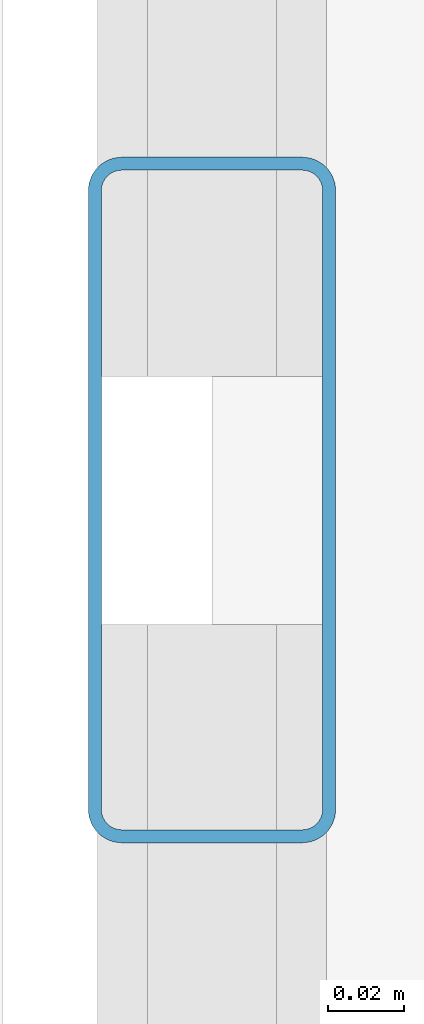
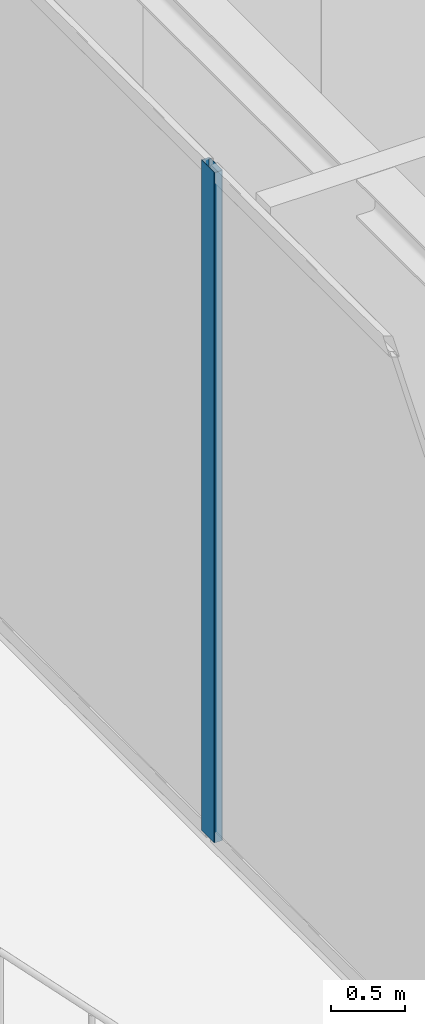
# One storey, part 4 of 38: 1 member, 1 element without a shape of its own.
"""IFC4 building model written with IfcOpenShell, lengths in metres."""

from ifc_helpers import new_model, si_unit, direction, frame, origin, origin_2d, place, context, subcontext, project, spatial, hollow_rectangle, extrude, source, transform, mapped, material, layer, layer_set, material_profile, profile_set, type_object, element, aggregate, save


model = new_model("IFC4")

# Units and contexts
model_context = context("Model", 3, precision=1e-05, world=origin(), true_north=direction((0.0, 1.0)))
body_context = subcontext(model_context, "Body", "Model", "MODEL_VIEW")
ifc_project = project(units=[si_unit("LENGTHUNIT", "METRE"), si_unit("AREAUNIT", "SQUARE_METRE"), si_unit("VOLUMEUNIT", "CUBIC_METRE"), si_unit("PLANEANGLEUNIT", "RADIAN"), si_unit("MASSUNIT", "GRAM", prefix="KILO")], contexts=[model_context])

# Site, building, storey
site_placement = place(None, origin())
site = spatial("IfcSite", under=ifc_project, at=site_placement, CompositionType="ELEMENT")
building_placement = place(site_placement, origin())
building = spatial("IfcBuilding", under=site, at=building_placement, Name="Serunith Strait Residences", CompositionType="ELEMENT")
storey_placement = place(building_placement, frame((0.0, 0.0, 353.85009765625)))
storey = spatial("IfcBuildingStorey", under=building, at=storey_placement, Name="L87", CompositionType="ELEMENT", Elevation=353.85009765625)

# Curtain wall, member
ifc_material = material(Name="Brushed Stainless-Silver Aluminium", Category="aluminium")
ifc_layer = layer(ifc_material, 0.199951171875, Name="Brushed Stainless-Silver Aluminium")
ifc_layer_set = layer_set([ifc_layer], Name="Brushed Stainless-Silver Aluminium")
curtain_wall_type = type_object("IfcCurtainWallType", Name="CW-SYS5", PredefinedType="NOTDEFINED", material=ifc_layer_set)
curtain_wall_placement = place(storey_placement, origin())
curtain_wall = element("IfcCurtainWall", 1, at=curtain_wall_placement, inside=storey, type_object=curtain_wall_type, Name="L87 W Unitised Fritted Curtain Wall", PredefinedType="NOTDEFINED")
ifc_material_profile = material_profile(ifc_material, hollow_rectangle(XDim=0.06494140625, YDim=0.179931640625, WallThickness=0.00341796875, InnerFilletRadius=0.00537109375, OuterFilletRadius=0.0087890625, at=origin_2d()), Name="ALU 180x65x3.5")
ifc_profile_set = profile_set([ifc_material_profile], Name="Brushed Stainless-Silver Aluminium")
member_type = type_object("IfcMemberType", Name="CW-SYS5-MULL", PredefinedType="MULLION", material=ifc_profile_set)
shared_shape = source(origin(), body_context, "Body", "SweptSolid", [
    extrude(hollow_rectangle(XDim=0.06494140625, YDim=0.179931640625, WallThickness=0.00341796875, InnerFilletRadius=0.00537109375, OuterFilletRadius=0.0087890625, at=origin_2d()), origin(), (0.0, 0.0, 1.0), 5.52490234375),
])
member_placement = place(storey_placement, frame((10.800048828125, 17.35009765625, 0.0), z_axis=(0.0, 0.0, 1.0), x_axis=(1.0, 0.0, 0.0)))
member = element("IfcMember", 2, at=member_placement, type_object=member_type, Name="CW-5 mullion 2", PredefinedType="MULLION", context=body_context, shape_type="MappedRepresentation", body=[
    mapped(shared_shape, transform((0.0, 0.0, 0.0), scale=1.0)),
])
aggregate(curtain_wall, [member])

save(model, "model.ifc")
